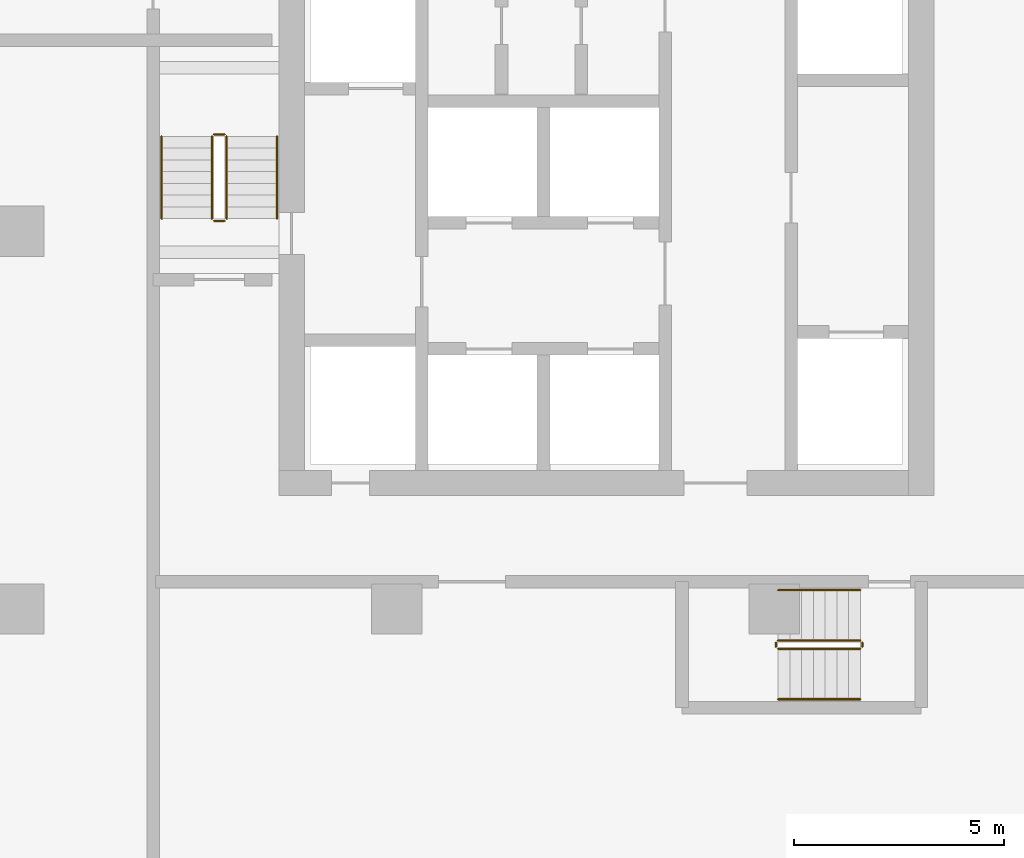
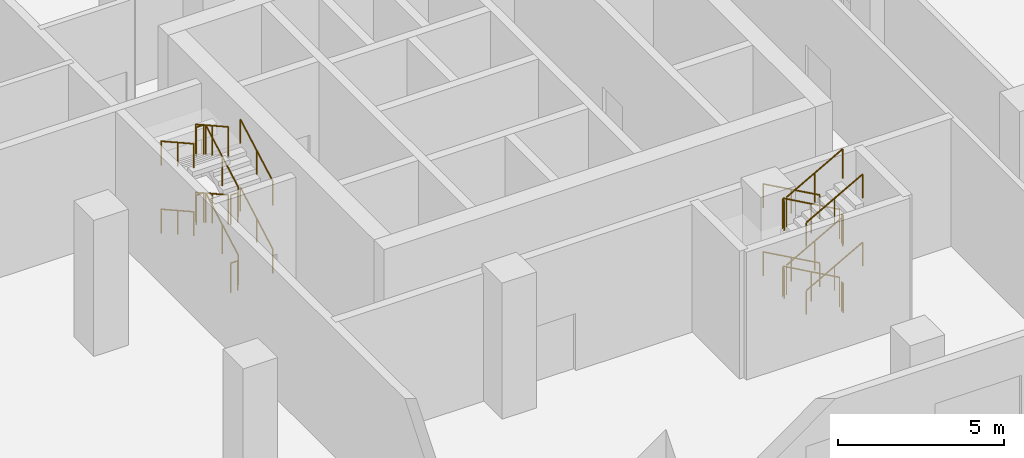
# One storey, part 34 of 35: 24 railings.
"""IFC4 building model written with IfcOpenShell, lengths in metres."""

from ifc_helpers import new_model, si_unit, direction, frame, origin, origin_2d, place, context, subcontext, project, spatial, circle, extrude, material, type_object, element, save


model = new_model("IFC4")

# Units and contexts
model_context = context("Model", 3, precision=1e-05, world=origin(), true_north=direction((0.0, 1.0)))
body_context = subcontext(model_context, "Body", "Model", "MODEL_VIEW")
ifc_project = project(units=[si_unit("LENGTHUNIT", "METRE"), si_unit("AREAUNIT", "SQUARE_METRE"), si_unit("VOLUMEUNIT", "CUBIC_METRE"), si_unit("PLANEANGLEUNIT", "RADIAN"), si_unit("MASSUNIT", "GRAM", prefix="KILO")], contexts=[model_context])

# Site, building, storey
site_placement = place(None, origin())
site = spatial("IfcSite", under=ifc_project, at=site_placement, CompositionType="ELEMENT")
building_placement = place(site_placement, origin())
building = spatial("IfcBuilding", under=site, at=building_placement, Name="Ogive Portal Towers", CompositionType="ELEMENT")
storey_placement = place(building_placement, frame((0.0, 0.0, 18.5)))
storey = spatial("IfcBuildingStorey", under=building, at=storey_placement, Name="L03", CompositionType="ELEMENT", Elevation=18.5)

# Railings
ifc_material_1 = material(Name="Stainless steel balustrade", Category="steel")
railing_type_1 = type_object("IfcRailingType", Name="INT-GUARD", PredefinedType="GUARDRAIL", material=ifc_material_1)
railing_1_placement = place(storey_placement, frame((127.449951171875, 30.800048828125, 0.15625)))
element("IfcRailing", 1, at=railing_1_placement, inside=storey, type_object=railing_type_1, Name="L03 ST-B1 stair guard 1", PredefinedType="GUARDRAIL", context=body_context, shape_type="SweptSolid", body=[
    extrude(circle(Radius=0.02392578125, at=origin_2d()), frame((0.0, 0.0, 1.076171875), z_axis=(0.0, 0.873232148454, 0.487304437602), x_axis=(-1.0, 0.0, 0.0)), (0.0, 0.0, 1.0), 2.244384765625),
    extrude(circle(Radius=0.02099609375, at=origin_2d()), origin(), (0.0, 0.0, 1.0), 1.052001953125),
    extrude(circle(Radius=0.02099609375, at=origin_2d()), frame((0.0, 0.97998046875, 0.546875)), (0.0, 0.0, 1.0), 1.052001953125),
    extrude(circle(Radius=0.02099609375, at=origin_2d()), frame((0.0, 1.9599609375, 1.09375)), (0.0, 0.0, 1.0), 1.052001953125),
])
railing_2_placement = place(storey_placement, frame((127.39990234375, 32.81005859375, 1.25)))
element("IfcRailing", 2, at=railing_2_placement, inside=storey, type_object=railing_type_1, Name="L03 ST-B1 stair guard 2", PredefinedType="GUARDRAIL", context=body_context, shape_type="SweptSolid", body=[
    extrude(circle(Radius=0.02392578125, at=origin_2d()), frame((0.0, 0.0, 1.076171875), z_axis=(-1.0, 0.0, 0.0), x_axis=(0.0, -1.0, 0.0)), (0.0, 0.0, 1.0), 0.25),
    extrude(circle(Radius=0.02099609375, at=origin_2d()), origin(), (0.0, 0.0, 1.0), 1.052001953125),
    extrude(circle(Radius=0.02099609375, at=origin_2d()), frame((-0.25, 0.0, 0.0)), (0.0, 0.0, 1.0), 1.052001953125),
])
railing_3_placement = place(storey_placement, frame((127.10009765625, 32.760009765625, 1.40625)))
element("IfcRailing", 3, at=railing_3_placement, inside=storey, type_object=railing_type_1, Name="L03 ST-B1 stair guard 3", PredefinedType="GUARDRAIL", context=body_context, shape_type="SweptSolid", body=[
    extrude(circle(Radius=0.02392578125, at=origin_2d()), frame((0.0, 0.0, 1.076171875), z_axis=(0.0, -0.873232148454, 0.487304437602), x_axis=(1.0, 0.0, 0.0)), (0.0, 0.0, 1.0), 2.244384765625),
    extrude(circle(Radius=0.02099609375, at=origin_2d()), origin(), (0.0, 0.0, 1.0), 1.052001953125),
    extrude(circle(Radius=0.02099609375, at=origin_2d()), frame((0.0, -0.97998046875, 0.546875)), (0.0, 0.0, 1.0), 1.052001953125),
    extrude(circle(Radius=0.02099609375, at=origin_2d()), frame((0.0, -1.9599609375, 1.09375)), (0.0, 0.0, 1.0), 1.052001953125),
])
railing_4_placement = place(storey_placement, frame((127.39990234375, 30.75, 2.5)))
element("IfcRailing", 4, at=railing_4_placement, inside=storey, type_object=railing_type_1, Name="L03 ST-B1 stair guard 4", PredefinedType="GUARDRAIL", context=body_context, shape_type="SweptSolid", body=[
    extrude(circle(Radius=0.02392578125, at=origin_2d()), frame((0.0, 0.0, 1.076171875), z_axis=(-1.0, 0.0, 0.0), x_axis=(0.0, -1.0, 0.0)), (0.0, 0.0, 1.0), 0.25),
    extrude(circle(Radius=0.02099609375, at=origin_2d()), origin(), (0.0, 0.0, 1.0), 1.052001953125),
    extrude(circle(Radius=0.02099609375, at=origin_2d()), frame((-0.25, 0.0, 0.0)), (0.0, 0.0, 1.0), 1.052001953125),
])
railing_5_placement = place(storey_placement, frame((127.449951171875, 30.800048828125, 2.65625)))
element("IfcRailing", 5, at=railing_5_placement, inside=storey, type_object=railing_type_1, Name="L03 ST-B1 stair guard 5", PredefinedType="GUARDRAIL", context=body_context, shape_type="SweptSolid", body=[
    extrude(circle(Radius=0.02392578125, at=origin_2d()), frame((0.0, 0.0, 1.076171875), z_axis=(0.0, 0.873232148454, 0.487304437602), x_axis=(-1.0, 0.0, 0.0)), (0.0, 0.0, 1.0), 2.244384765625),
    extrude(circle(Radius=0.02099609375, at=origin_2d()), origin(), (0.0, 0.0, 1.0), 1.052001953125),
    extrude(circle(Radius=0.02099609375, at=origin_2d()), frame((0.0, 0.97998046875, 0.546875)), (0.0, 0.0, 1.0), 1.052001953125),
    extrude(circle(Radius=0.02099609375, at=origin_2d()), frame((0.0, 1.9599609375, 1.09375)), (0.0, 0.0, 1.0), 1.052001953125),
])
railing_6_placement = place(storey_placement, frame((127.39990234375, 32.81005859375, 3.75)))
element("IfcRailing", 6, at=railing_6_placement, inside=storey, type_object=railing_type_1, Name="L03 ST-B1 stair guard 6", PredefinedType="GUARDRAIL", context=body_context, shape_type="SweptSolid", body=[
    extrude(circle(Radius=0.02392578125, at=origin_2d()), frame((0.0, 0.0, 1.076171875), z_axis=(-1.0, 0.0, 0.0), x_axis=(0.0, -1.0, 0.0)), (0.0, 0.0, 1.0), 0.25),
    extrude(circle(Radius=0.02099609375, at=origin_2d()), origin(), (0.0, 0.0, 1.0), 1.052001953125),
    extrude(circle(Radius=0.02099609375, at=origin_2d()), frame((-0.25, 0.0, 0.0)), (0.0, 0.0, 1.0), 1.052001953125),
])
railing_7_placement = place(storey_placement, frame((127.10009765625, 32.760009765625, 3.90625)))
element("IfcRailing", 7, at=railing_7_placement, inside=storey, type_object=railing_type_1, Name="L03 ST-B1 stair guard 7", PredefinedType="GUARDRAIL", context=body_context, shape_type="SweptSolid", body=[
    extrude(circle(Radius=0.02392578125, at=origin_2d()), frame((0.0, 0.0, 1.076171875), z_axis=(0.0, -0.873232148454, 0.487304437602), x_axis=(1.0, 0.0, 0.0)), (0.0, 0.0, 1.0), 2.244384765625),
    extrude(circle(Radius=0.02099609375, at=origin_2d()), origin(), (0.0, 0.0, 1.0), 1.052001953125),
    extrude(circle(Radius=0.02099609375, at=origin_2d()), frame((0.0, -0.97998046875, 0.546875)), (0.0, 0.0, 1.0), 1.052001953125),
    extrude(circle(Radius=0.02099609375, at=origin_2d()), frame((0.0, -1.9599609375, 1.09375)), (0.0, 0.0, 1.0), 1.052001953125),
])
railing_8_placement = place(storey_placement, frame((127.39990234375, 30.75, 0.0)))
element("IfcRailing", 8, at=railing_8_placement, inside=storey, type_object=railing_type_1, Name="L03 ST-B1 stair guard 8", PredefinedType="GUARDRAIL", context=body_context, shape_type="SweptSolid", body=[
    extrude(circle(Radius=0.02392578125, at=origin_2d()), frame((0.0, 0.0, 1.076171875), z_axis=(-1.0, 0.0, 0.0), x_axis=(0.0, -1.0, 0.0)), (0.0, 0.0, 1.0), 0.25),
    extrude(circle(Radius=0.02099609375, at=origin_2d()), origin(), (0.0, 0.0, 1.0), 1.052001953125),
    extrude(circle(Radius=0.02099609375, at=origin_2d()), frame((-0.25, 0.0, 0.0)), (0.0, 0.0, 1.0), 1.052001953125),
])
railing_9_placement = place(storey_placement, frame((142.550048828125, 20.75, 0.15625)))
element("IfcRailing", 9, at=railing_9_placement, inside=storey, type_object=railing_type_1, Name="L03 ST-B2 stair guard 1", PredefinedType="GUARDRAIL", context=body_context, shape_type="SweptSolid", body=[
    extrude(circle(Radius=0.02392578125, at=origin_2d()), frame((0.0, 0.0, 1.076171875), z_axis=(-0.873232148454, 0.0, 0.487304437602), x_axis=(0.0, -1.0, 0.0)), (0.0, 0.0, 1.0), 2.244384765625),
    extrude(circle(Radius=0.02099609375, at=origin_2d()), origin(), (0.0, 0.0, 1.0), 1.052001953125),
    extrude(circle(Radius=0.02099609375, at=origin_2d()), frame((-0.97998046875, 0.0, 0.546875)), (0.0, 0.0, 1.0), 1.052001953125),
    extrude(circle(Radius=0.02099609375, at=origin_2d()), frame((-1.9599609375, 0.0, 1.09375)), (0.0, 0.0, 1.0), 1.052001953125),
])
railing_10_placement = place(storey_placement, frame((140.5400390625, 20.699951171875, 1.25)))
element("IfcRailing", 10, at=railing_10_placement, inside=storey, type_object=railing_type_1, Name="L03 ST-B2 stair guard 2", PredefinedType="GUARDRAIL", context=body_context, shape_type="SweptSolid", body=[
    extrude(circle(Radius=0.02392578125, at=origin_2d()), frame((0.0, 0.0, 1.076171875), z_axis=(0.0, -1.0, 0.0), x_axis=(1.0, 0.0, 0.0)), (0.0, 0.0, 1.0), 0.099853515625),
    extrude(circle(Radius=0.02099609375, at=origin_2d()), origin(), (0.0, 0.0, 1.0), 1.052001953125),
    extrude(circle(Radius=0.02099609375, at=origin_2d()), frame((0.0, -0.099853515625, 0.0)), (0.0, 0.0, 1.0), 1.052001953125),
])
railing_11_placement = place(storey_placement, frame((140.590087890625, 20.550048828125, 1.40625)))
element("IfcRailing", 11, at=railing_11_placement, inside=storey, type_object=railing_type_1, Name="L03 ST-B2 stair guard 3", PredefinedType="GUARDRAIL", context=body_context, shape_type="SweptSolid", body=[
    extrude(circle(Radius=0.02392578125, at=origin_2d()), frame((0.0, 0.0, 1.076171875), z_axis=(0.873232148454, 0.0, 0.487304437602), x_axis=(0.0, 1.0, 0.0)), (0.0, 0.0, 1.0), 2.244384765625),
    extrude(circle(Radius=0.02099609375, at=origin_2d()), origin(), (0.0, 0.0, 1.0), 1.052001953125),
    extrude(circle(Radius=0.02099609375, at=origin_2d()), frame((0.97998046875, 0.0, 0.546875)), (0.0, 0.0, 1.0), 1.052001953125),
    extrude(circle(Radius=0.02099609375, at=origin_2d()), frame((1.9599609375, 0.0, 1.09375)), (0.0, 0.0, 1.0), 1.052001953125),
])
railing_12_placement = place(storey_placement, frame((142.60009765625, 20.699951171875, 2.5)))
element("IfcRailing", 12, at=railing_12_placement, inside=storey, type_object=railing_type_1, Name="L03 ST-B2 stair guard 4", PredefinedType="GUARDRAIL", context=body_context, shape_type="SweptSolid", body=[
    extrude(circle(Radius=0.02392578125, at=origin_2d()), frame((0.0, 0.0, 1.076171875), z_axis=(0.0, -1.0, 0.0), x_axis=(1.0, 0.0, 0.0)), (0.0, 0.0, 1.0), 0.099853515625),
    extrude(circle(Radius=0.02099609375, at=origin_2d()), origin(), (0.0, 0.0, 1.0), 1.052001953125),
    extrude(circle(Radius=0.02099609375, at=origin_2d()), frame((0.0, -0.099853515625, 0.0)), (0.0, 0.0, 1.0), 1.052001953125),
])
railing_13_placement = place(storey_placement, frame((142.550048828125, 20.75, 2.65625)))
element("IfcRailing", 13, at=railing_13_placement, inside=storey, type_object=railing_type_1, Name="L03 ST-B2 stair guard 5", PredefinedType="GUARDRAIL", context=body_context, shape_type="SweptSolid", body=[
    extrude(circle(Radius=0.02392578125, at=origin_2d()), frame((0.0, 0.0, 1.076171875), z_axis=(-0.873232148454, 0.0, 0.487304437602), x_axis=(0.0, -1.0, 0.0)), (0.0, 0.0, 1.0), 2.244384765625),
    extrude(circle(Radius=0.02099609375, at=origin_2d()), origin(), (0.0, 0.0, 1.0), 1.052001953125),
    extrude(circle(Radius=0.02099609375, at=origin_2d()), frame((-0.97998046875, 0.0, 0.546875)), (0.0, 0.0, 1.0), 1.052001953125),
    extrude(circle(Radius=0.02099609375, at=origin_2d()), frame((-1.9599609375, 0.0, 1.09375)), (0.0, 0.0, 1.0), 1.052001953125),
])
railing_14_placement = place(storey_placement, frame((140.5400390625, 20.699951171875, 3.75)))
element("IfcRailing", 14, at=railing_14_placement, inside=storey, type_object=railing_type_1, Name="L03 ST-B2 stair guard 6", PredefinedType="GUARDRAIL", context=body_context, shape_type="SweptSolid", body=[
    extrude(circle(Radius=0.02392578125, at=origin_2d()), frame((0.0, 0.0, 1.076171875), z_axis=(0.0, -1.0, 0.0), x_axis=(1.0, 0.0, 0.0)), (0.0, 0.0, 1.0), 0.099853515625),
    extrude(circle(Radius=0.02099609375, at=origin_2d()), origin(), (0.0, 0.0, 1.0), 1.052001953125),
    extrude(circle(Radius=0.02099609375, at=origin_2d()), frame((0.0, -0.099853515625, 0.0)), (0.0, 0.0, 1.0), 1.052001953125),
])
railing_15_placement = place(storey_placement, frame((140.590087890625, 20.550048828125, 3.90625)))
element("IfcRailing", 15, at=railing_15_placement, inside=storey, type_object=railing_type_1, Name="L03 ST-B2 stair guard 7", PredefinedType="GUARDRAIL", context=body_context, shape_type="SweptSolid", body=[
    extrude(circle(Radius=0.02392578125, at=origin_2d()), frame((0.0, 0.0, 1.076171875), z_axis=(0.873232148454, 0.0, 0.487304437602), x_axis=(0.0, 1.0, 0.0)), (0.0, 0.0, 1.0), 2.244384765625),
    extrude(circle(Radius=0.02099609375, at=origin_2d()), origin(), (0.0, 0.0, 1.0), 1.052001953125),
    extrude(circle(Radius=0.02099609375, at=origin_2d()), frame((0.97998046875, 0.0, 0.546875)), (0.0, 0.0, 1.0), 1.052001953125),
    extrude(circle(Radius=0.02099609375, at=origin_2d()), frame((1.9599609375, 0.0, 1.09375)), (0.0, 0.0, 1.0), 1.052001953125),
])
railing_16_placement = place(storey_placement, frame((142.60009765625, 20.699951171875, 0.0)))
element("IfcRailing", 16, at=railing_16_placement, inside=storey, type_object=railing_type_1, Name="L03 ST-B2 stair guard 8", PredefinedType="GUARDRAIL", context=body_context, shape_type="SweptSolid", body=[
    extrude(circle(Radius=0.02392578125, at=origin_2d()), frame((0.0, 0.0, 1.076171875), z_axis=(0.0, -1.0, 0.0), x_axis=(1.0, 0.0, 0.0)), (0.0, 0.0, 1.0), 0.099853515625),
    extrude(circle(Radius=0.02099609375, at=origin_2d()), origin(), (0.0, 0.0, 1.0), 1.052001953125),
    extrude(circle(Radius=0.02099609375, at=origin_2d()), frame((0.0, -0.099853515625, 0.0)), (0.0, 0.0, 1.0), 1.052001953125),
])
ifc_material_2 = material(Name="Stainless steel handrail", Category="steel")
railing_type_2 = type_object("IfcRailingType", Name="INT-HANDRAIL", PredefinedType="HANDRAIL", material=ifc_material_2)
railing_17_placement = place(storey_placement, frame((128.64990234375, 30.800048828125, 0.15625)))
element("IfcRailing", 17, at=railing_17_placement, inside=storey, type_object=railing_type_2, Name="L03 ST-B1 stair handrail 1", PredefinedType="HANDRAIL", context=body_context, shape_type="SweptSolid", body=[
    extrude(circle(Radius=0.02392578125, at=origin_2d()), frame((0.0, 0.0, 0.8759765625), z_axis=(0.0, 0.873232148454, 0.487304437602), x_axis=(-1.0, 0.0, 0.0)), (0.0, 0.0, 1.0), 2.244384765625),
    extrude(circle(Radius=0.02099609375, at=origin_2d()), origin(), (0.0, 0.0, 1.0), 0.851806640625),
    extrude(circle(Radius=0.02099609375, at=origin_2d()), frame((0.0, 0.97998046875, 0.546875)), (0.0, 0.0, 1.0), 0.851806640625),
    extrude(circle(Radius=0.02099609375, at=origin_2d()), frame((0.0, 1.9599609375, 1.09375)), (0.0, 0.0, 1.0), 0.851806640625),
])
railing_18_placement = place(storey_placement, frame((125.89990234375, 32.760009765625, 1.40625)))
element("IfcRailing", 18, at=railing_18_placement, inside=storey, type_object=railing_type_2, Name="L03 ST-B1 stair handrail 2", PredefinedType="HANDRAIL", context=body_context, shape_type="SweptSolid", body=[
    extrude(circle(Radius=0.02392578125, at=origin_2d()), frame((0.0, 0.0, 0.8759765625), z_axis=(0.0, -0.873232148454, 0.487304437602), x_axis=(1.0, 0.0, 0.0)), (0.0, 0.0, 1.0), 2.244384765625),
    extrude(circle(Radius=0.02099609375, at=origin_2d()), origin(), (0.0, 0.0, 1.0), 0.851806640625),
    extrude(circle(Radius=0.02099609375, at=origin_2d()), frame((0.0, -0.97998046875, 0.546875)), (0.0, 0.0, 1.0), 0.851806640625),
    extrude(circle(Radius=0.02099609375, at=origin_2d()), frame((0.0, -1.9599609375, 1.09375)), (0.0, 0.0, 1.0), 0.851806640625),
])
railing_19_placement = place(storey_placement, frame((128.64990234375, 30.800048828125, 2.65625)))
element("IfcRailing", 19, at=railing_19_placement, inside=storey, type_object=railing_type_2, Name="L03 ST-B1 stair handrail 3", PredefinedType="HANDRAIL", context=body_context, shape_type="SweptSolid", body=[
    extrude(circle(Radius=0.02392578125, at=origin_2d()), frame((0.0, 0.0, 0.8759765625), z_axis=(0.0, 0.873232148454, 0.487304437602), x_axis=(-1.0, 0.0, 0.0)), (0.0, 0.0, 1.0), 2.244384765625),
    extrude(circle(Radius=0.02099609375, at=origin_2d()), origin(), (0.0, 0.0, 1.0), 0.851806640625),
    extrude(circle(Radius=0.02099609375, at=origin_2d()), frame((0.0, 0.97998046875, 0.546875)), (0.0, 0.0, 1.0), 0.851806640625),
    extrude(circle(Radius=0.02099609375, at=origin_2d()), frame((0.0, 1.9599609375, 1.09375)), (0.0, 0.0, 1.0), 0.851806640625),
])
railing_20_placement = place(storey_placement, frame((125.89990234375, 32.760009765625, 3.90625)))
element("IfcRailing", 20, at=railing_20_placement, inside=storey, type_object=railing_type_2, Name="L03 ST-B1 stair handrail 4", PredefinedType="HANDRAIL", context=body_context, shape_type="SweptSolid", body=[
    extrude(circle(Radius=0.02392578125, at=origin_2d()), frame((0.0, 0.0, 0.8759765625), z_axis=(0.0, -0.873232148454, 0.487304437602), x_axis=(1.0, 0.0, 0.0)), (0.0, 0.0, 1.0), 2.244384765625),
    extrude(circle(Radius=0.02099609375, at=origin_2d()), origin(), (0.0, 0.0, 1.0), 0.851806640625),
    extrude(circle(Radius=0.02099609375, at=origin_2d()), frame((0.0, -0.97998046875, 0.546875)), (0.0, 0.0, 1.0), 0.851806640625),
    extrude(circle(Radius=0.02099609375, at=origin_2d()), frame((0.0, -1.9599609375, 1.09375)), (0.0, 0.0, 1.0), 0.851806640625),
])
railing_21_placement = place(storey_placement, frame((142.550048828125, 21.949951171875, 0.15625)))
element("IfcRailing", 21, at=railing_21_placement, inside=storey, type_object=railing_type_2, Name="L03 ST-B2 stair handrail 1", PredefinedType="HANDRAIL", context=body_context, shape_type="SweptSolid", body=[
    extrude(circle(Radius=0.02392578125, at=origin_2d()), frame((0.0, 0.0, 0.8759765625), z_axis=(-0.873232148454, 0.0, 0.487304437602), x_axis=(0.0, -1.0, 0.0)), (0.0, 0.0, 1.0), 2.244384765625),
    extrude(circle(Radius=0.02099609375, at=origin_2d()), origin(), (0.0, 0.0, 1.0), 0.851806640625),
    extrude(circle(Radius=0.02099609375, at=origin_2d()), frame((-0.97998046875, 0.0, 0.546875)), (0.0, 0.0, 1.0), 0.851806640625),
    extrude(circle(Radius=0.02099609375, at=origin_2d()), frame((-1.9599609375, 0.0, 1.09375)), (0.0, 0.0, 1.0), 0.851806640625),
])
railing_22_placement = place(storey_placement, frame((140.590087890625, 19.35009765625, 1.40625)))
element("IfcRailing", 22, at=railing_22_placement, inside=storey, type_object=railing_type_2, Name="L03 ST-B2 stair handrail 2", PredefinedType="HANDRAIL", context=body_context, shape_type="SweptSolid", body=[
    extrude(circle(Radius=0.02392578125, at=origin_2d()), frame((0.0, 0.0, 0.8759765625), z_axis=(0.873232148454, 0.0, 0.487304437602), x_axis=(0.0, 1.0, 0.0)), (0.0, 0.0, 1.0), 2.244384765625),
    extrude(circle(Radius=0.02099609375, at=origin_2d()), origin(), (0.0, 0.0, 1.0), 0.851806640625),
    extrude(circle(Radius=0.02099609375, at=origin_2d()), frame((0.97998046875, 0.0, 0.546875)), (0.0, 0.0, 1.0), 0.851806640625),
    extrude(circle(Radius=0.02099609375, at=origin_2d()), frame((1.9599609375, 0.0, 1.09375)), (0.0, 0.0, 1.0), 0.851806640625),
])
railing_23_placement = place(storey_placement, frame((142.550048828125, 21.949951171875, 2.65625)))
element("IfcRailing", 23, at=railing_23_placement, inside=storey, type_object=railing_type_2, Name="L03 ST-B2 stair handrail 3", PredefinedType="HANDRAIL", context=body_context, shape_type="SweptSolid", body=[
    extrude(circle(Radius=0.02392578125, at=origin_2d()), frame((0.0, 0.0, 0.8759765625), z_axis=(-0.873232148454, 0.0, 0.487304437602), x_axis=(0.0, -1.0, 0.0)), (0.0, 0.0, 1.0), 2.244384765625),
    extrude(circle(Radius=0.02099609375, at=origin_2d()), origin(), (0.0, 0.0, 1.0), 0.851806640625),
    extrude(circle(Radius=0.02099609375, at=origin_2d()), frame((-0.97998046875, 0.0, 0.546875)), (0.0, 0.0, 1.0), 0.851806640625),
    extrude(circle(Radius=0.02099609375, at=origin_2d()), frame((-1.9599609375, 0.0, 1.09375)), (0.0, 0.0, 1.0), 0.851806640625),
])
railing_24_placement = place(storey_placement, frame((140.590087890625, 19.35009765625, 3.90625)))
element("IfcRailing", 24, at=railing_24_placement, inside=storey, type_object=railing_type_2, Name="L03 ST-B2 stair handrail 4", PredefinedType="HANDRAIL", context=body_context, shape_type="SweptSolid", body=[
    extrude(circle(Radius=0.02392578125, at=origin_2d()), frame((0.0, 0.0, 0.8759765625), z_axis=(0.873232148454, 0.0, 0.487304437602), x_axis=(0.0, 1.0, 0.0)), (0.0, 0.0, 1.0), 2.244384765625),
    extrude(circle(Radius=0.02099609375, at=origin_2d()), origin(), (0.0, 0.0, 1.0), 0.851806640625),
    extrude(circle(Radius=0.02099609375, at=origin_2d()), frame((0.97998046875, 0.0, 0.546875)), (0.0, 0.0, 1.0), 0.851806640625),
    extrude(circle(Radius=0.02099609375, at=origin_2d()), frame((1.9599609375, 0.0, 1.09375)), (0.0, 0.0, 1.0), 0.851806640625),
])

save(model, "model.ifc")
